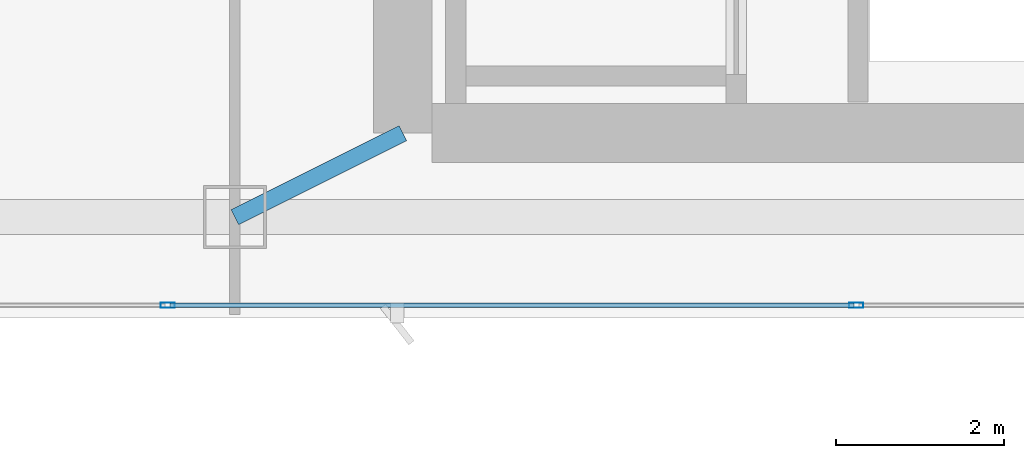
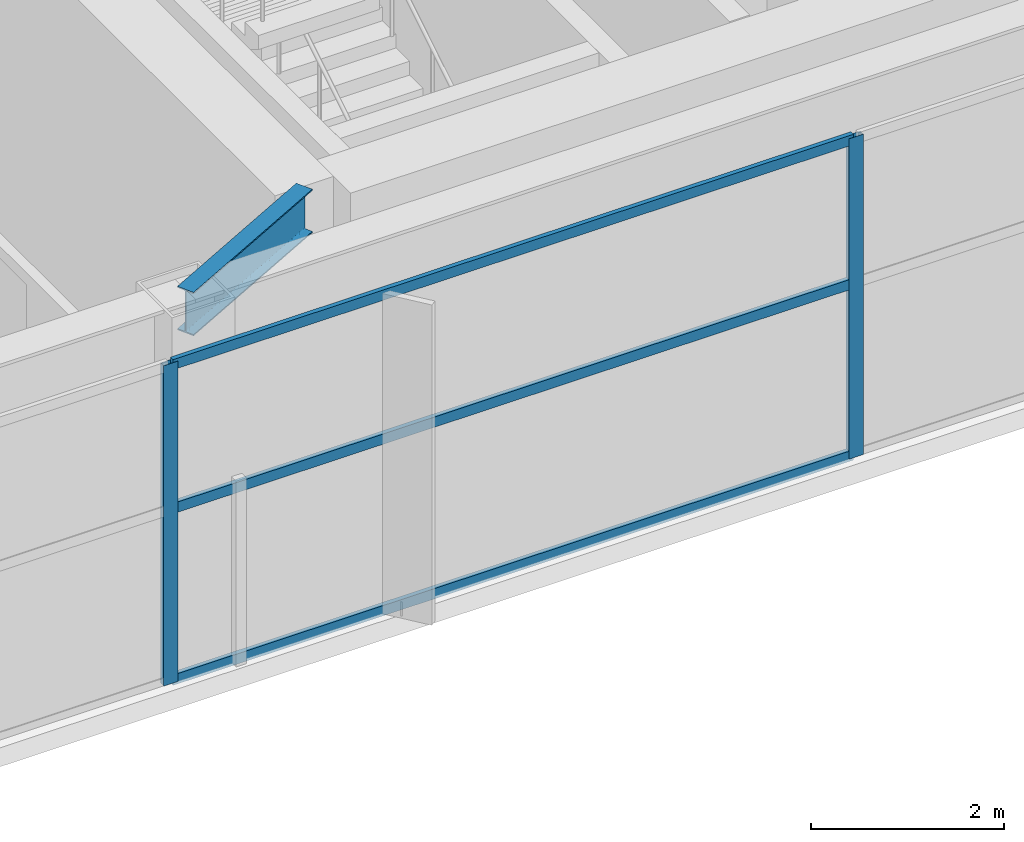
# One storey, part 7 of 29: 5 members, 1 beam, 1 element without a shape of its own.
"""IFC4 building model written with IfcOpenShell, lengths in metres."""

from ifc_helpers import new_model, si_unit, direction, frame, origin, origin_2d, place, context, subcontext, project, spatial, hollow_rectangle, i_section, extrude, material, layer, layer_set, material_profile, profile_set, type_object, element, aggregate, save


model = new_model("IFC4")

# Units and contexts
model_context = context("Model", 3, precision=1e-05, world=origin(), true_north=direction((0.0, 1.0)))
body_context = subcontext(model_context, "Body", "Model", "MODEL_VIEW")
ifc_project = project(units=[si_unit("LENGTHUNIT", "METRE"), si_unit("AREAUNIT", "SQUARE_METRE"), si_unit("VOLUMEUNIT", "CUBIC_METRE"), si_unit("PLANEANGLEUNIT", "RADIAN"), si_unit("MASSUNIT", "GRAM", prefix="KILO")], contexts=[model_context])

# Site, building, storey
site_placement = place(None, origin())
site = spatial("IfcSite", under=ifc_project, at=site_placement, CompositionType="ELEMENT")
building_placement = place(site_placement, origin())
building = spatial("IfcBuilding", under=site, at=building_placement, Name="Calvorn Quay Hotel", CompositionType="ELEMENT")
storey_placement = place(building_placement, frame((0.0, 0.0, 259.0)))
storey = spatial("IfcBuildingStorey", under=building, at=storey_placement, Name="L64", CompositionType="ELEMENT", Elevation=259.0)

# Beam
ifc_material_1 = material(Name="Steel Q355B", Category="steel")
ifc_material_profile_1 = material_profile(ifc_material_1, i_section(OverallWidth=0.199951171875, OverallDepth=0.550048828125, WebThickness=0.010009765625, FlangeThickness=0.01611328125, FilletRadius=0.01806640625, at=origin_2d()), Name="HN550x200x10x16")
ifc_profile_set_1 = profile_set([ifc_material_profile_1], Name="Steel Q355B")
beam_type = type_object("IfcBeamType", Name="BM-GIRD-UPP", PredefinedType="BEAM", material=ifc_profile_set_1)
beam_placement = place(storey_placement, frame((19.60009765625, 3.60009765625, 3.77490234375), z_axis=(0.894427191, 0.4472135955, 0.0), x_axis=(-0.4472135955, 0.894427191, 0.0)))
element("IfcBeam", 1, at=beam_placement, inside=storey, type_object=beam_type, Name="Beam BG-L64-S2", PredefinedType="BEAM", context=body_context, shape_type="SweptSolid", body=[
    extrude(i_section(OverallWidth=0.199951171875, OverallDepth=0.550048828125, WebThickness=0.010009765625, FlangeThickness=0.01611328125, FilletRadius=0.01806640625, at=origin_2d()), origin(), (0.0, 0.0, 1.0), 2.236083984375),
])

# Curtain wall, members
ifc_material_2 = material(Name="Champagne Bronze Anodised Aluminium and Low-E Glass", Category="aluminium")
ifc_layer = layer(ifc_material_2, 0.219970703125)
ifc_layer_set = layer_set([ifc_layer], Name="CW-SYS-Z4")
curtain_wall_type = type_object("IfcCurtainWallType", Name="CW-SYS-Z4", PredefinedType="NOTDEFINED", material=ifc_layer_set)
curtain_wall_placement = place(storey_placement, origin())
curtain_wall = element("IfcCurtainWall", 2, at=curtain_wall_placement, inside=storey, type_object=curtain_wall_type, Name="Tower South Waterfront Curtain Wall (L64)", PredefinedType="NOTDEFINED")
ifc_material_3 = material(Name="Champagne Bronze Anodised Aluminium 6063-T6", Category="aluminium")
ifc_material_profile_2 = material_profile(ifc_material_3, hollow_rectangle(XDim=0.06494140625, YDim=0.169921875, WallThickness=0.00341796875, at=origin_2d()), Name="ALU-M170x65x3.5")
ifc_profile_set_2 = profile_set([ifc_material_profile_2], Name="Champagne Bronze Anodised Aluminium 6063-T6")
member_type_1 = type_object("IfcMemberType", Name="CW-SYS-Z4-MUL", PredefinedType="MULLION", material=ifc_profile_set_2)
member_1_placement = place(storey_placement, frame((18.800048828125, 2.550048828125, 0.0), z_axis=(0.0, 0.0, 1.0), x_axis=(0.0, 1.0, 0.0)))
member_1 = element("IfcMember", 3, at=member_1_placement, type_object=member_type_1, Name="CW-L64-S mullion 2", PredefinedType="MULLION", context=body_context, shape_type="SweptSolid", body=[
    extrude(hollow_rectangle(XDim=0.06494140625, YDim=0.169921875, WallThickness=0.00341796875, at=origin_2d()), origin(), (0.0, 0.0, 1.0), 4.050048828125),
])
member_2_placement = place(storey_placement, frame((27.0, 2.550048828125, 0.0), z_axis=(0.0, 0.0, 1.0), x_axis=(0.0, 1.0, 0.0)))
member_2 = element("IfcMember", 4, at=member_2_placement, type_object=member_type_1, Name="CW-L64-S mullion 3", PredefinedType="MULLION", context=body_context, shape_type="SweptSolid", body=[
    extrude(hollow_rectangle(XDim=0.06494140625, YDim=0.169921875, WallThickness=0.00341796875, at=origin_2d()), origin(), (0.0, 0.0, 1.0), 4.050048828125),
])
ifc_material_4 = material(Name="Champagne Bronze Anodised Aluminium 6063-T6", Category="aluminium")
ifc_material_profile_3 = material_profile(ifc_material_4, hollow_rectangle(XDim=0.054931640625, YDim=0.1298828125, WallThickness=0.003173828125, at=origin_2d()), Name="ALU-T130x55x3.2")
ifc_profile_set_3 = profile_set([ifc_material_profile_3], Name="Champagne Bronze Anodised Aluminium 6063-T6")
member_type_2 = type_object("IfcMemberType", Name="CW-SYS-Z4-TRN", PredefinedType="USERDEFINED", material=ifc_profile_set_3)
member_3_placement = place(storey_placement, frame((18.830078125, 2.550048828125, 0.030029296875), z_axis=(1.0, 0.0, 0.0), x_axis=(0.0, 1.0, 0.0)))
member_3 = element("IfcMember", 5, at=member_3_placement, type_object=member_type_2, Name="CW-L64-S transom 2.1", ObjectType="TRANSOM", PredefinedType="USERDEFINED", context=body_context, shape_type="SweptSolid", body=[
    extrude(hollow_rectangle(XDim=0.054931640625, YDim=0.1298828125, WallThickness=0.003173828125, at=origin_2d()), origin(), (0.0, 0.0, 1.0), 8.139892578125),
])
member_4_placement = place(storey_placement, frame((18.830078125, 2.550048828125, 2.199951171875), z_axis=(1.0, 0.0, 0.0), x_axis=(0.0, 1.0, 0.0)))
member_4 = element("IfcMember", 6, at=member_4_placement, type_object=member_type_2, Name="CW-L64-S transom 2.2", ObjectType="TRANSOM", PredefinedType="USERDEFINED", context=body_context, shape_type="SweptSolid", body=[
    extrude(hollow_rectangle(XDim=0.054931640625, YDim=0.1298828125, WallThickness=0.003173828125, at=origin_2d()), origin(), (0.0, 0.0, 1.0), 8.139892578125),
])
member_5_placement = place(storey_placement, frame((18.830078125, 2.550048828125, 4.02001953125), z_axis=(1.0, 0.0, 0.0), x_axis=(0.0, 1.0, 0.0)))
member_5 = element("IfcMember", 7, at=member_5_placement, type_object=member_type_2, Name="CW-L64-S transom 2.3", ObjectType="TRANSOM", PredefinedType="USERDEFINED", context=body_context, shape_type="SweptSolid", body=[
    extrude(hollow_rectangle(XDim=0.054931640625, YDim=0.1298828125, WallThickness=0.003173828125, at=origin_2d()), origin(), (0.0, 0.0, 1.0), 8.139892578125),
])
aggregate(curtain_wall, [member_1, member_2, member_3, member_4, member_5])

save(model, "model.ifc")
